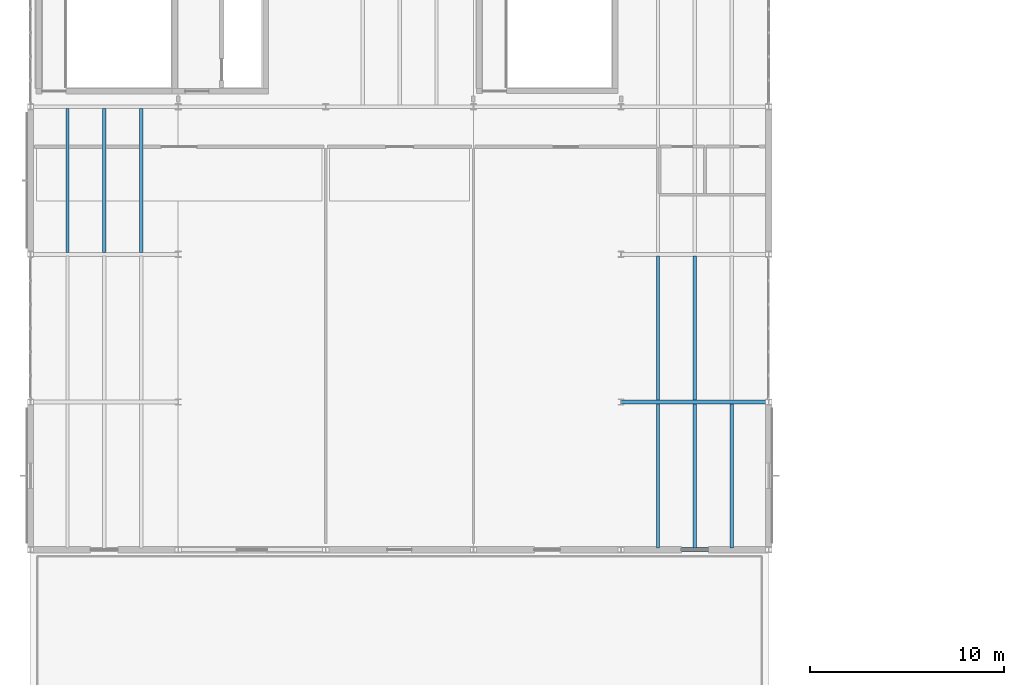
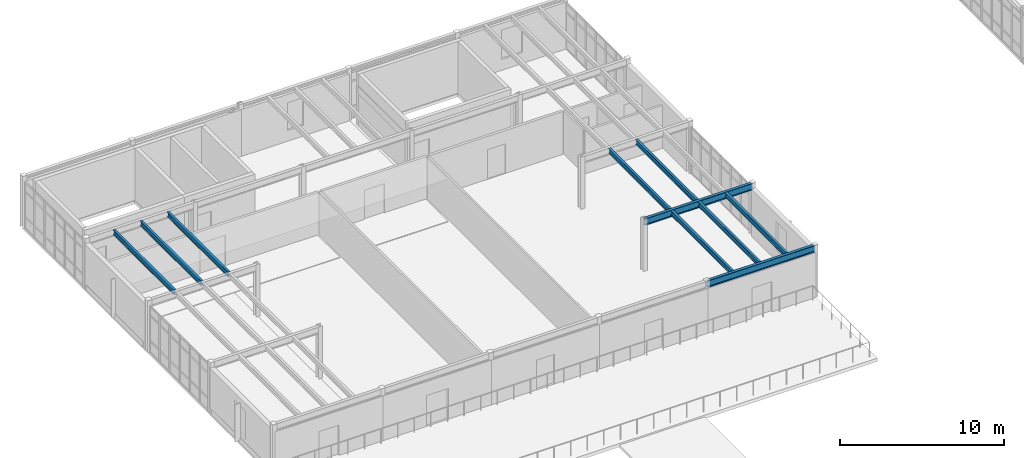
# One storey, part 33 of 114: 10 beams.
"""IFC4 building model written with IfcOpenShell, lengths in metres."""

from ifc_helpers import new_model, si_unit, direction, frame, origin, origin_2d, place, context, subcontext, project, spatial, i_section, extrude, material, material_profile, profile_set, type_object, element, save


model = new_model("IFC4")

# Units and contexts
model_context = context("Model", 3, precision=1e-05, world=origin(), true_north=direction((0.0, 1.0)))
body_context = subcontext(model_context, "Body", "Model", "MODEL_VIEW")
ifc_project = project(units=[si_unit("LENGTHUNIT", "METRE"), si_unit("AREAUNIT", "SQUARE_METRE"), si_unit("VOLUMEUNIT", "CUBIC_METRE"), si_unit("PLANEANGLEUNIT", "RADIAN"), si_unit("MASSUNIT", "GRAM", prefix="KILO")], contexts=[model_context])

# Site, building, storey
site_placement = place(None, origin())
site = spatial("IfcSite", under=ifc_project, at=site_placement, CompositionType="ELEMENT")
building_placement = place(site_placement, origin())
building = spatial("IfcBuilding", under=site, at=building_placement, Name="Montecoro Central Library", CompositionType="ELEMENT")
storey_placement = place(building_placement, frame((0.0, 0.0, 13.260009765625)))
storey = spatial("IfcBuildingStorey", under=building, at=storey_placement, Name="L03", CompositionType="ELEMENT", Elevation=13.260009765625)

# Beams
ifc_material = material(Name="Steel S355", Category="steel")
ifc_material_profile_1 = material_profile(ifc_material, i_section(OverallWidth=0.199951171875, OverallDepth=0.5, WebThickness=0.01025390625, FlangeThickness=0.01611328125, at=origin_2d()), Name="IPE 500")
ifc_profile_set_1 = profile_set([ifc_material_profile_1], Name="Steel S355")
beam_type_1 = type_object("IfcBeamType", Name="BM-G-IPE500", PredefinedType="USERDEFINED", material=ifc_profile_set_1)
for number, where, z_axis, x_axis, name in (
    (1, (35.405029296875, 81.0, 3.574951171875), (1.0, 0.0, 0.0), (0.0, 1.0, 0.0), "V4-L03-BX-56-L"),
    (2, (35.405029296875, 88.60009765625, 3.574951171875), (1.0, 0.0, 0.0), (0.0, 1.0, 0.0), "V4-L03-BX-56-M"),
):
    element("IfcBeam", number, at=place(storey_placement, frame(where, z_axis=z_axis, x_axis=x_axis)), inside=storey, type_object=beam_type_1, Name=name, ObjectType="GIRDER", PredefinedType="USERDEFINED", context=body_context, shape_type="SweptSolid", body=[
        extrude(i_section(OverallWidth=0.199951171875, OverallDepth=0.5, WebThickness=0.01025390625, FlangeThickness=0.01611328125, at=origin_2d()), origin(), (0.0, 0.0, 1.0), 7.590087890625),
    ])
ifc_material_profile_2 = material_profile(ifc_material, i_section(OverallWidth=0.169921875, OverallDepth=0.360107421875, WebThickness=0.008056640625, FlangeThickness=0.0126953125, at=origin_2d()), Name="IPE 360")
ifc_profile_set_2 = profile_set([ifc_material_profile_2], Name="Steel S355")
beam_type_2 = type_object("IfcBeamType", Name="BM-J-IPE360", PredefinedType="JOIST", material=ifc_profile_set_2)
for number, where, z_axis, x_axis, name in (
    (3, (6.89990234375, 96.297119140625, 3.64501953125), (0.0, 1.0, 0.0), (-1.0, 0.0, 0.0), "V4-L03-JS-12-NP-1"),
    (4, (8.800048828125, 96.297119140625, 3.64501953125), (0.0, 1.0, 0.0), (-1.0, 0.0, 0.0), "V4-L03-JS-12-NP-2"),
    (5, (10.699951171875, 96.297119140625, 3.64501953125), (0.0, 1.0, 0.0), (-1.0, 0.0, 0.0), "V4-L03-JS-12-NP-3"),
):
    element("IfcBeam", number, at=place(storey_placement, frame(where, z_axis=z_axis, x_axis=x_axis)), inside=storey, type_object=beam_type_2, Name=name, PredefinedType="JOIST", context=body_context, shape_type="SweptSolid", body=[
        extrude(i_section(OverallWidth=0.169921875, OverallDepth=0.360107421875, WebThickness=0.008056640625, FlangeThickness=0.0126953125, at=origin_2d()), origin(), (0.0, 0.0, 1.0), 7.40576171875),
    ])
for number, where, z_axis, x_axis, name in (
    (6, (37.300048828125, 81.096923828125, 3.64501953125), (0.0, 1.0, 0.0), (-1.0, 0.0, 0.0), "V4-L03-JS-56-LM-1"),
    (7, (39.199951171875, 81.096923828125, 3.64501953125), (0.0, 1.0, 0.0), (-1.0, 0.0, 0.0), "V4-L03-JS-56-LM-2"),
    (8, (41.10009765625, 81.096923828125, 3.64501953125), (0.0, 1.0, 0.0), (-1.0, 0.0, 0.0), "V4-L03-JS-56-LM-3"),
    (9, (37.300048828125, 88.697021484375, 3.64501953125), (0.0, 1.0, 0.0), (-1.0, 0.0, 0.0), "V4-L03-JS-56-MN-1"),
    (10, (39.199951171875, 88.697021484375, 3.64501953125), (0.0, 1.0, 0.0), (-1.0, 0.0, 0.0), "V4-L03-JS-56-MN-2"),
):
    element("IfcBeam", number, at=place(storey_placement, frame(where, z_axis=z_axis, x_axis=x_axis)), inside=storey, type_object=beam_type_2, Name=name, PredefinedType="JOIST", context=body_context, shape_type="SweptSolid", body=[
        extrude(i_section(OverallWidth=0.169921875, OverallDepth=0.360107421875, WebThickness=0.008056640625, FlangeThickness=0.0126953125, at=origin_2d()), origin(), (0.0, 0.0, 1.0), 7.406005859375),
    ])

save(model, "model.ifc")
